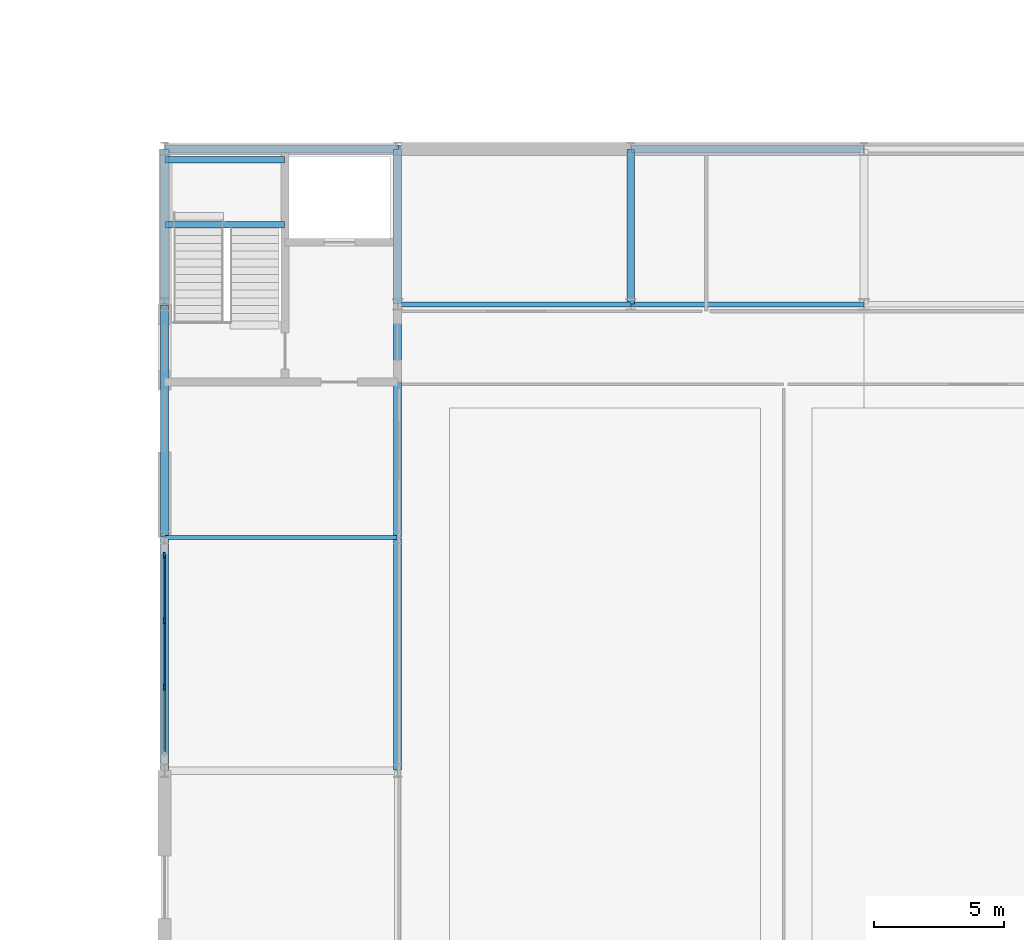
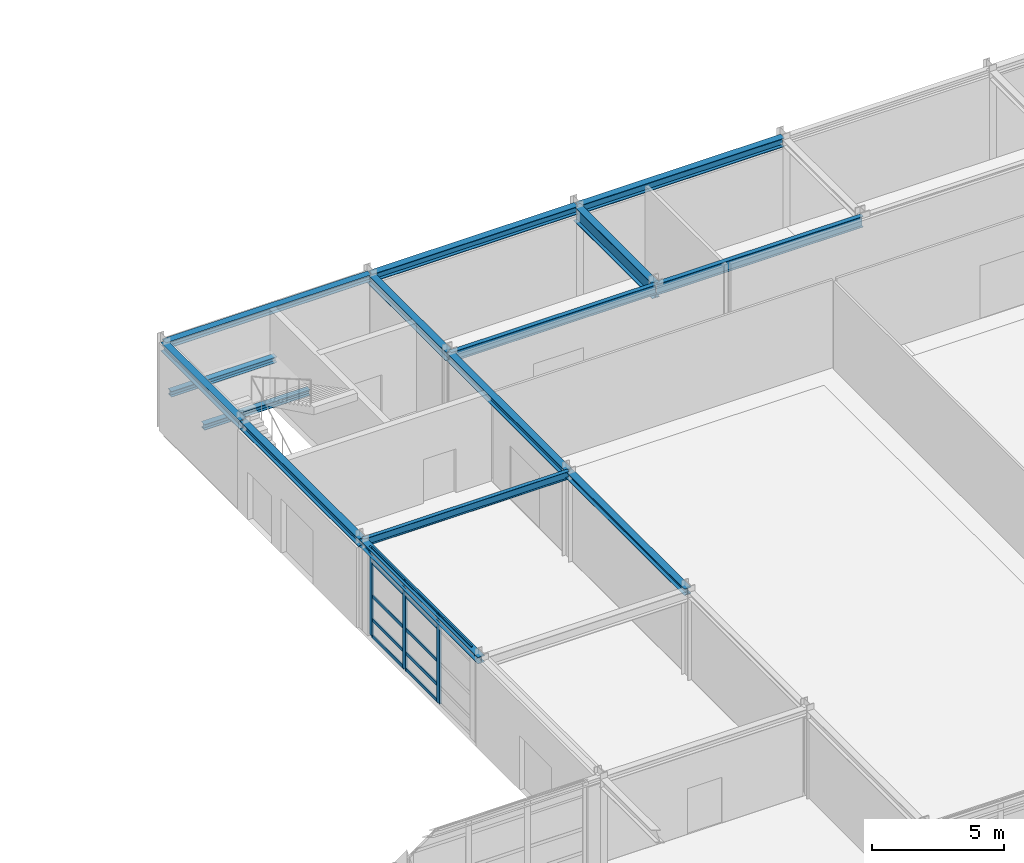
# One storey, part 36 of 72: 15 beams, 14 members, 1 element without a shape of its own.
"""IFC4 building model written with IfcOpenShell, lengths in metres."""

from ifc_helpers import new_model, si_unit, direction, frame, origin, origin_2d, place, context, subcontext, project, spatial, rectangle, i_section, extrude, material, material_profile, profile_set, type_object, element, aggregate, save


model = new_model("IFC4")

# Units and contexts
model_context = context("Model", 3, precision=1e-05, world=origin(), true_north=direction((0.0, 1.0)))
body_context = subcontext(model_context, "Body", "Model", "MODEL_VIEW")
ifc_project = project(units=[si_unit("LENGTHUNIT", "METRE"), si_unit("AREAUNIT", "SQUARE_METRE"), si_unit("VOLUMEUNIT", "CUBIC_METRE"), si_unit("PLANEANGLEUNIT", "RADIAN"), si_unit("MASSUNIT", "GRAM", prefix="KILO")], contexts=[model_context])

# Site, building, storey
site_placement = place(None, origin())
site = spatial("IfcSite", under=ifc_project, at=site_placement, CompositionType="ELEMENT")
building_placement = place(site_placement, origin())
building = spatial("IfcBuilding", under=site, at=building_placement, Name="Palais des Congres Ocreval", CompositionType="ELEMENT")
storey_placement = place(building_placement, origin())
storey = spatial("IfcBuildingStorey", under=building, at=storey_placement, Name="L00", CompositionType="ELEMENT", Elevation=0.0)

# Beams
ifc_material_1 = material(Name="Steel S355", Category="steel")
ifc_material_profile_1 = material_profile(ifc_material_1, i_section(OverallWidth=0.169921875, OverallDepth=0.360107421875, WebThickness=0.008056640625, FlangeThickness=0.0126953125, at=origin_2d()), Name="IPE 360")
ifc_profile_set_1 = profile_set([ifc_material_profile_1], Name="Steel S355")
beam_type_1 = type_object("IfcBeamType", Name="Composite Beam IPE 360 Steel S355", PredefinedType="BEAM", material=ifc_profile_set_1)
beam_1_placement = place(storey_placement, frame((99.02001953125, 99.0, 3.875), z_axis=(1.0, 0.0, 0.0), x_axis=(0.0, 1.0, 0.0)))
element("IfcBeam", 1, at=beam_1_placement, inside=storey, type_object=beam_type_1, Name="Beam B01 L00", PredefinedType="BEAM", context=body_context, shape_type="SweptSolid", body=[
    extrude(i_section(OverallWidth=0.169921875, OverallDepth=0.360107421875, WebThickness=0.008056640625, FlangeThickness=0.0126953125, at=origin_2d()), origin(), (0.0, 0.0, 1.0), 8.9599609375),
])
ifc_material_profile_2 = material_profile(ifc_material_1, i_section(OverallWidth=0.18994140625, OverallDepth=0.449951171875, WebThickness=0.009521484375, FlangeThickness=0.0146484375, at=origin_2d()), Name="IPE 450")
ifc_profile_set_2 = profile_set([ifc_material_profile_2], Name="Steel S355")
beam_type_2 = type_object("IfcBeamType", Name="Composite Beam IPE 450 Steel S355", PredefinedType="BEAM", material=ifc_profile_set_2)
beam_2_placement = place(storey_placement, frame((108.02001953125, 108.0, 3.830078125), z_axis=(1.0, 0.0, 0.0), x_axis=(0.0, 1.0, 0.0)))
element("IfcBeam", 2, at=beam_2_placement, inside=storey, type_object=beam_type_2, Name="Beam B03 L00", PredefinedType="BEAM", context=body_context, shape_type="SweptSolid", body=[
    extrude(i_section(OverallWidth=0.18994140625, OverallDepth=0.449951171875, WebThickness=0.009521484375, FlangeThickness=0.0146484375, at=origin_2d()), origin(), (0.0, 0.0, 1.0), 8.9599609375),
])
ifc_material_profile_3 = material_profile(ifc_material_1, i_section(OverallWidth=0.199951171875, OverallDepth=0.5, WebThickness=0.01025390625, FlangeThickness=0.01611328125, at=origin_2d()), Name="IPE 500")
ifc_profile_set_3 = profile_set([ifc_material_profile_3], Name="Steel S355")
beam_type_3 = type_object("IfcBeamType", Name="Composite Beam IPE 500 Steel S355", PredefinedType="BEAM", material=ifc_profile_set_3)
beam_3_placement = place(storey_placement, frame((117.02001953125, 108.0, 3.804931640625), z_axis=(1.0, 0.0, 0.0), x_axis=(0.0, 1.0, 0.0)))
element("IfcBeam", 3, at=beam_3_placement, inside=storey, type_object=beam_type_3, Name="Beam B04 L00", PredefinedType="BEAM", context=body_context, shape_type="SweptSolid", body=[
    extrude(i_section(OverallWidth=0.199951171875, OverallDepth=0.5, WebThickness=0.01025390625, FlangeThickness=0.01611328125, at=origin_2d()), origin(), (0.0, 0.0, 1.0), 8.9599609375),
])

# Curtain wall, members
ifc_material_2 = material(Name="Anodized bronze aluminium and low-E glass", Category="glass")
curtain_wall_type = type_object("IfcCurtainWallType", Name="Unitised Curtain Wall 7900x4060", PredefinedType="USERDEFINED", material=ifc_material_2)
curtain_wall_placement = place(storey_placement, origin())
curtain_wall = element("IfcCurtainWall", 4, at=curtain_wall_placement, inside=storey, type_object=curtain_wall_type, Name="Unitised Curtain Wall CW01 L00", ObjectType="UNITISED CURTAIN WALL", PredefinedType="USERDEFINED")
ifc_material_3 = material(Name="Anodized bronze aluminium", Category="aluminium")
ifc_material_profile_4 = material_profile(ifc_material_3, rectangle(XDim=0.074951171875, YDim=0.239990234375, at=origin_2d()), Name="ALU 75x240")
ifc_profile_set_4 = profile_set([ifc_material_profile_4], Name="Anodized bronze aluminium")
member_type_1 = type_object("IfcMemberType", Name="Curtain Wall Mullion ALU 75x240", PredefinedType="MULLION", material=ifc_profile_set_4)
member_1_placement = place(storey_placement, frame((99.0, 93.216796875, 0.0), z_axis=(0.0, 0.0, 1.0), x_axis=(-1.0, 0.0, 0.0)))
member_1 = element("IfcMember", 5, at=member_1_placement, type_object=member_type_1, Name="Curtain Wall Mullion ML01", PredefinedType="MULLION", context=body_context, shape_type="SweptSolid", body=[
    extrude(rectangle(XDim=0.074951171875, YDim=0.239990234375, at=origin_2d()), origin(), (0.0, 0.0, 1.0), 4.054931640625),
])
member_2_placement = place(storey_placement, frame((99.0, 95.783203125, 0.0), z_axis=(0.0, 0.0, 1.0), x_axis=(-1.0, 0.0, 0.0)))
member_2 = element("IfcMember", 6, at=member_2_placement, type_object=member_type_1, Name="Curtain Wall Mullion ML01", PredefinedType="MULLION", context=body_context, shape_type="SweptSolid", body=[
    extrude(rectangle(XDim=0.074951171875, YDim=0.239990234375, at=origin_2d()), origin(), (0.0, 0.0, 1.0), 4.054931640625),
])
member_3_placement = place(storey_placement, frame((99.0, 98.3125, 0.0), z_axis=(0.0, 0.0, 1.0), x_axis=(-1.0, 0.0, 0.0)))
member_3 = element("IfcMember", 7, at=member_3_placement, type_object=member_type_1, Name="Curtain Wall Mullion ML01", PredefinedType="MULLION", context=body_context, shape_type="SweptSolid", body=[
    extrude(rectangle(XDim=0.074951171875, YDim=0.239990234375, at=origin_2d()), origin(), (0.0, 0.0, 1.0), 4.054931640625),
])
ifc_material_profile_5 = material_profile(ifc_material_3, rectangle(XDim=0.06005859375, YDim=0.14990234375, at=origin_2d()), Name="ALU 60x150")
ifc_profile_set_5 = profile_set([ifc_material_profile_5], Name="Anodized bronze aluminium")
member_type_2 = type_object("IfcMemberType", Name="Curtain Wall Transom ALU 60x150", PredefinedType="USERDEFINED", material=ifc_profile_set_5)
member_4_placement = place(storey_placement, frame((99.0, 90.72509765625, 4.02490234375), z_axis=(0.0, 1.0, 0.0), x_axis=(-1.0, 0.0, 0.0)))
member_4 = element("IfcMember", 8, at=member_4_placement, type_object=member_type_2, Name="Curtain Wall Transom TR01", ObjectType="TRANSOM", PredefinedType="USERDEFINED", context=body_context, shape_type="SweptSolid", body=[
    extrude(rectangle(XDim=0.06005859375, YDim=0.14990234375, at=origin_2d()), origin(), (0.0, 0.0, 1.0), 2.4541015625),
])
member_5_placement = place(storey_placement, frame((99.0, 93.254150390625, 0.030029296875), z_axis=(0.0, 1.0, 0.0), x_axis=(-1.0, 0.0, 0.0)))
member_5 = element("IfcMember", 9, at=member_5_placement, type_object=member_type_2, Name="Curtain Wall Transom TR01", ObjectType="TRANSOM", PredefinedType="USERDEFINED", context=body_context, shape_type="SweptSolid", body=[
    extrude(rectangle(XDim=0.06005859375, YDim=0.14990234375, at=origin_2d()), origin(), (0.0, 0.0, 1.0), 2.49169921875),
])
member_6_placement = place(storey_placement, frame((99.0, 93.254150390625, 0.780029296875), z_axis=(0.0, 1.0, 0.0), x_axis=(-1.0, 0.0, 0.0)))
member_6 = element("IfcMember", 10, at=member_6_placement, type_object=member_type_2, Name="Curtain Wall Transom TR01", ObjectType="TRANSOM", PredefinedType="USERDEFINED", context=body_context, shape_type="SweptSolid", body=[
    extrude(rectangle(XDim=0.06005859375, YDim=0.14990234375, at=origin_2d()), origin(), (0.0, 0.0, 1.0), 2.49169921875),
])
member_7_placement = place(storey_placement, frame((99.0, 93.254150390625, 1.872802734375), z_axis=(0.0, 1.0, 0.0), x_axis=(-1.0, 0.0, 0.0)))
member_7 = element("IfcMember", 11, at=member_7_placement, type_object=member_type_2, Name="Curtain Wall Transom TR01", ObjectType="TRANSOM", PredefinedType="USERDEFINED", context=body_context, shape_type="SweptSolid", body=[
    extrude(rectangle(XDim=0.06005859375, YDim=0.14990234375, at=origin_2d()), origin(), (0.0, 0.0, 1.0), 2.49169921875),
])
member_8_placement = place(storey_placement, frame((99.0, 93.254150390625, 3.405029296875), z_axis=(0.0, 1.0, 0.0), x_axis=(-1.0, 0.0, 0.0)))
member_8 = element("IfcMember", 12, at=member_8_placement, type_object=member_type_2, Name="Curtain Wall Transom TR01", ObjectType="TRANSOM", PredefinedType="USERDEFINED", context=body_context, shape_type="SweptSolid", body=[
    extrude(rectangle(XDim=0.06005859375, YDim=0.14990234375, at=origin_2d()), origin(), (0.0, 0.0, 1.0), 2.49169921875),
])
member_9_placement = place(storey_placement, frame((99.0, 93.254150390625, 4.02490234375), z_axis=(0.0, 1.0, 0.0), x_axis=(-1.0, 0.0, 0.0)))
member_9 = element("IfcMember", 13, at=member_9_placement, type_object=member_type_2, Name="Curtain Wall Transom TR01", ObjectType="TRANSOM", PredefinedType="USERDEFINED", context=body_context, shape_type="SweptSolid", body=[
    extrude(rectangle(XDim=0.06005859375, YDim=0.14990234375, at=origin_2d()), origin(), (0.0, 0.0, 1.0), 2.49169921875),
])
member_10_placement = place(storey_placement, frame((99.0, 95.82080078125, 0.030029296875), z_axis=(0.0, 1.0, 0.0), x_axis=(-1.0, 0.0, 0.0)))
member_10 = element("IfcMember", 14, at=member_10_placement, type_object=member_type_2, Name="Curtain Wall Transom TR01", ObjectType="TRANSOM", PredefinedType="USERDEFINED", context=body_context, shape_type="SweptSolid", body=[
    extrude(rectangle(XDim=0.06005859375, YDim=0.14990234375, at=origin_2d()), origin(), (0.0, 0.0, 1.0), 2.4541015625),
])
member_11_placement = place(storey_placement, frame((99.0, 95.82080078125, 0.780029296875), z_axis=(0.0, 1.0, 0.0), x_axis=(-1.0, 0.0, 0.0)))
member_11 = element("IfcMember", 15, at=member_11_placement, type_object=member_type_2, Name="Curtain Wall Transom TR01", ObjectType="TRANSOM", PredefinedType="USERDEFINED", context=body_context, shape_type="SweptSolid", body=[
    extrude(rectangle(XDim=0.06005859375, YDim=0.14990234375, at=origin_2d()), origin(), (0.0, 0.0, 1.0), 2.4541015625),
])
member_12_placement = place(storey_placement, frame((99.0, 95.82080078125, 1.872802734375), z_axis=(0.0, 1.0, 0.0), x_axis=(-1.0, 0.0, 0.0)))
member_12 = element("IfcMember", 16, at=member_12_placement, type_object=member_type_2, Name="Curtain Wall Transom TR01", ObjectType="TRANSOM", PredefinedType="USERDEFINED", context=body_context, shape_type="SweptSolid", body=[
    extrude(rectangle(XDim=0.06005859375, YDim=0.14990234375, at=origin_2d()), origin(), (0.0, 0.0, 1.0), 2.4541015625),
])
member_13_placement = place(storey_placement, frame((99.0, 95.82080078125, 3.405029296875), z_axis=(0.0, 1.0, 0.0), x_axis=(-1.0, 0.0, 0.0)))
member_13 = element("IfcMember", 17, at=member_13_placement, type_object=member_type_2, Name="Curtain Wall Transom TR01", ObjectType="TRANSOM", PredefinedType="USERDEFINED", context=body_context, shape_type="SweptSolid", body=[
    extrude(rectangle(XDim=0.06005859375, YDim=0.14990234375, at=origin_2d()), origin(), (0.0, 0.0, 1.0), 2.4541015625),
])
member_14_placement = place(storey_placement, frame((99.0, 95.82080078125, 4.02490234375), z_axis=(0.0, 1.0, 0.0), x_axis=(-1.0, 0.0, 0.0)))
member_14 = element("IfcMember", 18, at=member_14_placement, type_object=member_type_2, Name="Curtain Wall Transom TR01", ObjectType="TRANSOM", PredefinedType="USERDEFINED", context=body_context, shape_type="SweptSolid", body=[
    extrude(rectangle(XDim=0.06005859375, YDim=0.14990234375, at=origin_2d()), origin(), (0.0, 0.0, 1.0), 2.4541015625),
])
aggregate(curtain_wall, [member_1, member_2, member_3, member_4, member_5, member_6, member_7, member_8, member_9, member_10, member_11, member_12, member_13, member_14])

# Beams
ifc_material_profile_6 = material_profile(ifc_material_1, i_section(OverallWidth=0.260009765625, OverallDepth=0.260009765625, WebThickness=0.010009765625, FlangeThickness=0.017578125, at=origin_2d()), Name="HEB 260")
ifc_profile_set_6 = profile_set([ifc_material_profile_6], Name="Steel S355")
beam_type_4 = type_object("IfcBeamType", Name="Opening Lintel HEB 260 Steel S355", PredefinedType="LINTEL", material=ifc_profile_set_6)
for number, where, z_axis, x_axis, name in (
    (19, (99.02001953125, 111.070068359375, 1.909912109375), (1.0, 0.0, 0.0), (0.0, 1.0, 0.0), "Stair Landing Support Beam ST07 L00-1"),
    (20, (99.02001953125, 113.580078125, 1.909912109375), (1.0, 0.0, 0.0), (0.0, 1.0, 0.0), "Stair Landing Support Beam ST07 L00-2"),
):
    element("IfcBeam", number, at=place(storey_placement, frame(where, z_axis=z_axis, x_axis=x_axis)), inside=storey, type_object=beam_type_4, Name=name, PredefinedType="LINTEL", context=body_context, shape_type="SweptSolid", body=[
        extrude(i_section(OverallWidth=0.260009765625, OverallDepth=0.260009765625, WebThickness=0.010009765625, FlangeThickness=0.017578125, at=origin_2d()), origin(), (0.0, 0.0, 1.0), 4.60986328125),
    ])
ifc_material_profile_7 = material_profile(ifc_material_1, i_section(OverallWidth=0.300048828125, OverallDepth=0.300048828125, WebThickness=0.010986328125, FlangeThickness=0.01904296875, at=origin_2d()), Name="HEB 300")
ifc_profile_set_7 = profile_set([ifc_material_profile_7], Name="Steel S355")
beam_type_5 = type_object("IfcBeamType", Name="Perimeter Spandrel HEB 300 Steel S355", PredefinedType="SPANDREL", material=ifc_profile_set_7)
for number, where, z_axis, x_axis, name in (
    (21, (99.0, 90.02001953125, 3.905029296875), (0.0, 1.0, 0.0), (-1.0, 0.0, 0.0), "Girder SP02 L00"),
    (22, (99.02001953125, 114.0, 3.905029296875), (1.0, 0.0, 0.0), (0.0, 1.0, 0.0), "Beam SP02 L00"),
    (23, (108.0, 90.02001953125, 3.905029296875), (0.0, 1.0, 0.0), (-1.0, 0.0, 0.0), "Girder SP02 L00"),
):
    element("IfcBeam", number, at=place(storey_placement, frame(where, z_axis=z_axis, x_axis=x_axis)), inside=storey, type_object=beam_type_5, Name=name, PredefinedType="SPANDREL", context=body_context, shape_type="SweptSolid", body=[
        extrude(i_section(OverallWidth=0.300048828125, OverallDepth=0.300048828125, WebThickness=0.010986328125, FlangeThickness=0.01904296875, at=origin_2d()), origin(), (0.0, 0.0, 1.0), 8.9599609375),
    ])
ifc_material_profile_8 = material_profile(ifc_material_1, i_section(OverallWidth=0.300048828125, OverallDepth=0.360107421875, WebThickness=0.012451171875, FlangeThickness=0.0224609375, at=origin_2d()), Name="HEB 360")
ifc_profile_set_8 = profile_set([ifc_material_profile_8], Name="Steel S355")
beam_type_6 = type_object("IfcBeamType", Name="Perimeter Spandrel HEB 360 Steel S355", PredefinedType="SPANDREL", material=ifc_profile_set_8)
for number, where, z_axis, x_axis, name in (
    (24, (99.0, 99.02001953125, 3.875), (0.0, 1.0, 0.0), (-1.0, 0.0, 0.0), "Girder SP03 L00"),
    (25, (108.0, 99.02001953125, 3.875), (0.0, 1.0, 0.0), (-1.0, 0.0, 0.0), "Girder SP03 L00"),
    (26, (108.02001953125, 114.0, 3.875), (1.0, 0.0, 0.0), (0.0, 1.0, 0.0), "Beam SP03 L00"),
):
    element("IfcBeam", number, at=place(storey_placement, frame(where, z_axis=z_axis, x_axis=x_axis)), inside=storey, type_object=beam_type_6, Name=name, PredefinedType="SPANDREL", context=body_context, shape_type="SweptSolid", body=[
        extrude(i_section(OverallWidth=0.300048828125, OverallDepth=0.360107421875, WebThickness=0.012451171875, FlangeThickness=0.0224609375, at=origin_2d()), origin(), (0.0, 0.0, 1.0), 8.9599609375),
    ])
ifc_material_profile_9 = material_profile(ifc_material_1, i_section(OverallWidth=0.300048828125, OverallDepth=0.39990234375, WebThickness=0.013427734375, FlangeThickness=0.02392578125, at=origin_2d()), Name="HEB 400")
ifc_profile_set_9 = profile_set([ifc_material_profile_9], Name="Steel S355")
beam_type_7 = type_object("IfcBeamType", Name="Perimeter Spandrel HEB 400 Steel S355", PredefinedType="SPANDREL", material=ifc_profile_set_9)
for number, where, z_axis, x_axis, name in (
    (27, (99.0, 108.02001953125, 3.85498046875), (0.0, 1.0, 0.0), (-1.0, 0.0, 0.0), "Girder SP04 L00"),
    (28, (108.0, 108.02001953125, 3.85498046875), (0.0, 1.0, 0.0), (-1.0, 0.0, 0.0), "Girder SP04 L00"),
):
    element("IfcBeam", number, at=place(storey_placement, frame(where, z_axis=z_axis, x_axis=x_axis)), inside=storey, type_object=beam_type_7, Name=name, PredefinedType="SPANDREL", context=body_context, shape_type="SweptSolid", body=[
        extrude(i_section(OverallWidth=0.300048828125, OverallDepth=0.39990234375, WebThickness=0.013427734375, FlangeThickness=0.02392578125, at=origin_2d()), origin(), (0.0, 0.0, 1.0), 5.9599609375),
    ])
beam_4_placement = place(storey_placement, frame((117.02001953125, 114.0, 3.85498046875), z_axis=(1.0, 0.0, 0.0), x_axis=(0.0, 1.0, 0.0)))
element("IfcBeam", 29, at=beam_4_placement, inside=storey, type_object=beam_type_7, Name="Beam SP04 L00", PredefinedType="SPANDREL", context=body_context, shape_type="SweptSolid", body=[
    extrude(i_section(OverallWidth=0.300048828125, OverallDepth=0.39990234375, WebThickness=0.013427734375, FlangeThickness=0.02392578125, at=origin_2d()), origin(), (0.0, 0.0, 1.0), 8.9599609375),
])
ifc_material_profile_10 = material_profile(ifc_material_1, i_section(OverallWidth=0.300048828125, OverallDepth=0.68994140625, WebThickness=0.014404296875, FlangeThickness=0.027099609375, at=origin_2d()), Name="HEA 700")
ifc_profile_set_10 = profile_set([ifc_material_profile_10], Name="Steel S355")
beam_type_8 = type_object("IfcBeamType", Name="Primary Girder HEA 700 Steel S355", PredefinedType="BEAM", material=ifc_profile_set_10)
beam_5_placement = place(storey_placement, frame((117.0, 108.02001953125, 3.7099609375), z_axis=(0.0, 1.0, 0.0), x_axis=(-1.0, 0.0, 0.0)))
element("IfcBeam", 30, at=beam_5_placement, inside=storey, type_object=beam_type_8, Name="Girder B14 L00", PredefinedType="BEAM", context=body_context, shape_type="SweptSolid", body=[
    extrude(i_section(OverallWidth=0.300048828125, OverallDepth=0.68994140625, WebThickness=0.014404296875, FlangeThickness=0.027099609375, at=origin_2d()), origin(), (0.0, 0.0, 1.0), 5.9599609375),
])

save(model, "model.ifc")
